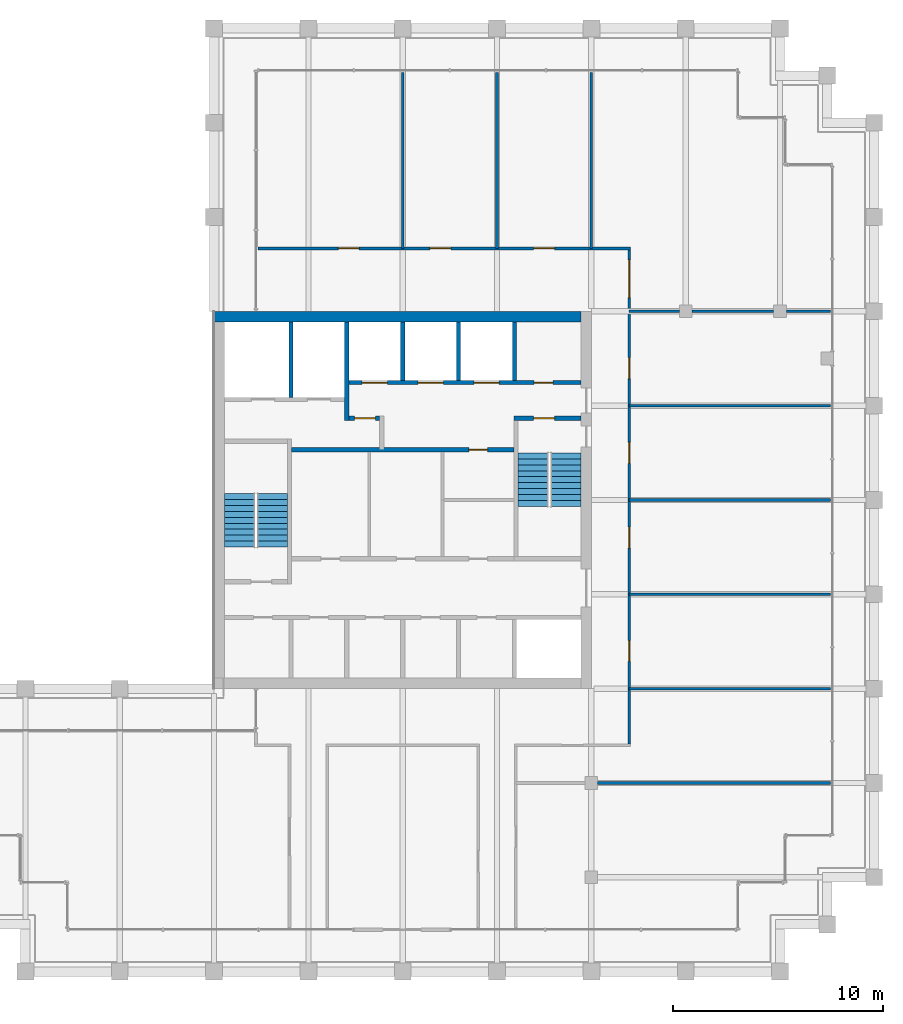
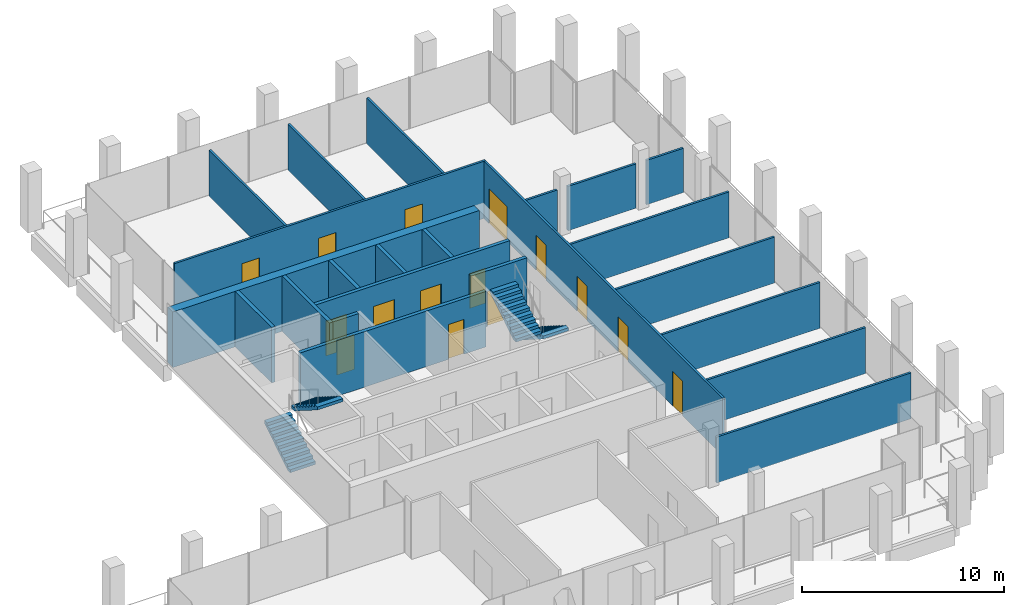
# One storey, part 29 of 30: 23 walls, 15 doors, 4 stair flights, 15 openings, 2 elements without a shape of their own.
"""IFC4 building model written with IfcOpenShell, lengths in metres."""

from ifc_helpers import new_model, si_unit, direction, frame, frame_2d, origin, place, context, subcontext, project, spatial, polyline, rectangle, outline, extrude, material, layer, layer_set, type_object, element, fill, aggregate, save


model = new_model("IFC4")

# Units and contexts
model_context = context("Model", 3, precision=1e-05, world=origin(), true_north=direction((0.0, 1.0)))
body_context = subcontext(model_context, "Body", "Model", "MODEL_VIEW")
ifc_project = project(units=[si_unit("LENGTHUNIT", "METRE"), si_unit("AREAUNIT", "SQUARE_METRE"), si_unit("VOLUMEUNIT", "CUBIC_METRE"), si_unit("PLANEANGLEUNIT", "RADIAN"), si_unit("MASSUNIT", "GRAM", prefix="KILO")], contexts=[model_context])

# Site, building, storey
site_placement = place(None, origin())
site = spatial("IfcSite", under=ifc_project, at=site_placement, CompositionType="ELEMENT")
building_placement = place(site_placement, origin())
building = spatial("IfcBuilding", under=site, at=building_placement, Name="Altepetl Exchange Towers", CompositionType="ELEMENT")
storey_placement = place(building_placement, frame((0.0, 0.0, 213.60009765625)))
storey = spatial("IfcBuildingStorey", under=building, at=storey_placement, Name="L54", CompositionType="ELEMENT", Elevation=213.60009765625)

# Wall
ifc_material_1 = material(Name="Concrete C70/85", Category="concrete")
ifc_layer_1 = layer(ifc_material_1, 0.5)
ifc_layer_set_1 = layer_set([ifc_layer_1], Name="Concrete C70/85")
wall_type_1 = type_object("IfcWallType", Name="Core wall 500 reinforced concrete", PredefinedType="SHEAR", material=ifc_layer_set_1)
wall_1_placement = place(storey_placement, frame((40.5, 58.25, 0.0)))
element("IfcWall", 1, at=wall_1_placement, inside=storey, type_object=wall_type_1, Name="wall:A:L54:K-coreN", PredefinedType="SHEAR", context=body_context, shape_type="SweptSolid", body=[
    extrude(rectangle(XDim=17.5, YDim=0.5, at=frame_2d((8.75, 0.0))), origin(), (0.0, 0.0, 1.0), 3.349853515625),
])

# Wall, opening, door
ifc_material_2 = material(Name="Concrete blockwork", Category="masonry")
ifc_layer_2 = layer(ifc_material_2, 0.199951171875)
ifc_layer_set_2 = layer_set([ifc_layer_2], Name="Concrete blockwork")
wall_type_2 = type_object("IfcWallType", Name="Lobby wall 200 blockwork", PredefinedType="PARTITIONING", material=ifc_layer_set_2)
wall_2_placement = place(storey_placement, frame((46.933349609375, 53.39990234375, 0.0)))
wall_2 = element("IfcWall", 2, at=wall_2_placement, inside=storey, type_object=wall_type_2, Name="wall:A:L54:K-ffN", PredefinedType="PARTITIONING", context=body_context, shape_type="SweptSolid", body=[
    extrude(rectangle(XDim=1.466552734375, YDim=0.199951171875, at=frame_2d((0.7333984375, 0.0))), origin(), (0.0, 0.0, 1.0), 3.349853515625),
])
opening_1_placement = place(wall_2_placement, frame((0.2666015625, 0.0, 0.0)))
opening_1 = element("IfcOpeningElement", 3, at=opening_1_placement, cuts=wall_2, Name="Opening L54.A65", PredefinedType="OPENING", context=body_context, shape_type="SweptSolid", body=[
    extrude(rectangle(XDim=1.0, YDim=2.10009765625, at=frame_2d((0.5, 1.050048828125))), frame((0.0, 0.10986328125, 0.0), z_axis=(0.0, -1.0, 0.0), x_axis=(1.0, 0.0, 0.0)), (0.0, 0.0, 1.0), 0.219970703125),
])
ifc_material_3 = material(Name="Steel and timber fire door", Category="steel")
door_type_1 = type_object("IfcDoorType", Name="Fire door 1000 x 2100 stair and lobby", OperationType="SINGLE_SWING_LEFT", PredefinedType="DOOR", material=ifc_material_3)
door_1_placement = place(opening_1_placement, frame((1.0, 0.0, 0.0), x_axis=(-1.0, 0.0, 0.0)))
door_1 = element("IfcDoor", 4, at=door_1_placement, inside=storey, type_object=door_type_1, Name="door:A:L54:K-dffN", OperationType="SINGLE_SWING_RIGHT", OverallHeight=2.10009765625, OverallWidth=1.0, PredefinedType="DOOR", context=body_context, shape_type="SweptSolid", body=[
    extrude(rectangle(XDim=1.0, YDim=2.10009765625, at=frame_2d((0.5, 1.050048828125))), frame((0.0, 0.02490234375, 0.0), z_axis=(0.0, -1.0, 0.0), x_axis=(1.0, 0.0, 0.0)), (0.0, 0.0, 1.0), 0.050048828125),
])
fill(opening_1, door_1)

wall_3_placement = place(storey_placement, frame((44.199951171875, 51.89990234375, 0.0)))
wall_3 = element("IfcWall", 5, at=wall_3_placement, inside=storey, type_object=wall_type_2, Name="wall:A:L54:K-zoneN", PredefinedType="PARTITIONING", context=body_context, shape_type="SweptSolid", body=[
    extrude(rectangle(XDim=10.60009765625, YDim=0.199951171875, at=frame_2d((5.300048828125, 0.0))), origin(), (0.0, 0.0, 1.0), 3.349853515625),
])
opening_2_placement = place(wall_3_placement, frame((8.449951171875, 0.0, 0.0)))
opening_2 = element("IfcOpeningElement", 6, at=opening_2_placement, cuts=wall_3, Name="Opening L54.A75", PredefinedType="OPENING", context=body_context, shape_type="SweptSolid", body=[
    extrude(rectangle(XDim=0.89990234375, YDim=2.10009765625, at=frame_2d((0.449951171875, 1.050048828125))), frame((0.0, 0.10986328125, 0.0), z_axis=(0.0, -1.0, 0.0), x_axis=(1.0, 0.0, 0.0)), (0.0, 0.0, 1.0), 0.219970703125),
])
door_type_2 = type_object("IfcDoorType", Name="Fire door 900 x 2100 service room", OperationType="SINGLE_SWING_LEFT", PredefinedType="DOOR", material=ifc_material_3)
door_2_placement = place(opening_2_placement, frame((0.89990234375, 0.0, 0.0), x_axis=(-1.0, 0.0, 0.0)))
door_2 = element("IfcDoor", 7, at=door_2_placement, inside=storey, type_object=door_type_2, Name="door:A:L54:K-dz4", OperationType="SINGLE_SWING_LEFT", OverallHeight=2.10009765625, OverallWidth=0.89990234375, PredefinedType="DOOR", context=body_context, shape_type="SweptSolid", body=[
    extrude(rectangle(XDim=0.89990234375, YDim=2.10009765625, at=frame_2d((0.449951171875, 1.050048828125))), frame((0.0, 0.02490234375, 0.0), z_axis=(0.0, -1.0, 0.0), x_axis=(1.0, 0.0, 0.0)), (0.0, 0.0, 1.0), 0.050048828125),
])
fill(opening_2, door_2)

# Walls
ifc_material_4 = material(Name="Gypsum board on steel studs", Category="steel")
ifc_layer_3 = layer(ifc_material_4, 0.125)
ifc_layer_set_3 = layer_set([ifc_layer_3], Name="Gypsum board on steel studs")
wall_type_3 = type_object("IfcWallType", Name="Partition 125 gypsum board on steel studs", PredefinedType="PARTITIONING", material=ifc_layer_set_3)
wall_4_placement = place(storey_placement, frame((58.800048828125, 36.0, 0.0)))
element("IfcWall", 8, at=wall_4_placement, inside=storey, type_object=wall_type_3, Name="wall:A:L54:P02", PredefinedType="PARTITIONING", context=body_context, shape_type="SweptSolid", body=[
    extrude(rectangle(XDim=11.099853515625, YDim=0.125, at=frame_2d((5.5498046875, 0.0))), origin(), (0.0, 0.0, 1.0), 2.77197265625),
])
for number, where, name in (
    (9, (60.300048828125, 40.5, 0.0), "wall:A:L54:P06"),
    (10, (60.300048828125, 45.0, 0.0), "wall:A:L54:P07"),
    (11, (60.300048828125, 49.5, 0.0), "wall:A:L54:P08"),
    (12, (60.300048828125, 54.0, 0.0), "wall:A:L54:P09"),
):
    element("IfcWall", number, at=place(storey_placement, frame(where)), inside=storey, type_object=wall_type_3, Name=name, PredefinedType="PARTITIONING", context=body_context, shape_type="SweptSolid", body=[
        extrude(rectangle(XDim=9.599853515625, YDim=0.125, at=frame_2d((4.7998046875, 0.0))), origin(), (0.0, 0.0, 1.0), 2.77197265625),
    ])
wall_5_placement = place(storey_placement, frame((60.300048828125, 58.5, 0.0)))
element("IfcWall", 13, at=wall_5_placement, inside=storey, type_object=wall_type_3, Name="wall:A:L54:P10", PredefinedType="PARTITIONING", context=body_context, shape_type="SweptSolid", body=[
    extrude(rectangle(XDim=2.39990234375, YDim=0.125, at=frame_2d((1.199951171875, 0.0))), origin(), (0.0, 0.0, 1.0), 2.67578125),
])
wall_6_placement = place(storey_placement, frame((63.300048828125, 58.5, 0.0)))
element("IfcWall", 14, at=wall_6_placement, inside=storey, type_object=wall_type_3, Name="wall:A:L54:P11", PredefinedType="PARTITIONING", context=body_context, shape_type="SweptSolid", body=[
    extrude(rectangle(XDim=3.89990234375, YDim=0.125, at=frame_2d((1.949951171875, 0.0))), origin(), (0.0, 0.0, 1.0), 2.67578125),
])
wall_7_placement = place(storey_placement, frame((67.800048828125, 58.5, 0.0)))
element("IfcWall", 15, at=wall_7_placement, inside=storey, type_object=wall_type_3, Name="wall:A:L54:P12", PredefinedType="PARTITIONING", context=body_context, shape_type="SweptSolid", body=[
    extrude(rectangle(XDim=2.099853515625, YDim=0.125, at=frame_2d((1.0498046875, 0.0))), origin(), (0.0, 0.0, 1.0), 2.67578125),
])

# Wall, openings, doors
wall_8_placement = place(storey_placement, frame((42.60009765625, 61.5, 0.0)))
wall_8 = element("IfcWall", 16, at=wall_8_placement, inside=storey, type_object=wall_type_3, Name="wall:A:L54:P13", PredefinedType="PARTITIONING", context=body_context, shape_type="SweptSolid", body=[
    extrude(rectangle(XDim=17.762451171875, YDim=0.125, at=frame_2d((8.88134765625, 0.0))), origin(), (0.0, 0.0, 1.0), 3.449951171875),
])
opening_3_placement = place(wall_8_placement, frame((13.14990234375, 0.0, 0.0)))
opening_3 = element("IfcOpeningElement", 17, at=opening_3_placement, cuts=wall_8, Name="Opening L54.A10", PredefinedType="OPENING", context=body_context, shape_type="SweptSolid", body=[
    extrude(rectangle(XDim=1.0, YDim=2.10009765625, at=frame_2d((0.5, 1.050048828125))), frame((0.0, 0.072509765625, 0.0), z_axis=(0.0, -1.0, 0.0), x_axis=(1.0, 0.0, 0.0)), (0.0, 0.0, 1.0), 0.14501953125),
])
opening_4_placement = place(wall_8_placement, frame((8.195068359375, 0.0, 0.0)))
opening_4 = element("IfcOpeningElement", 18, at=opening_4_placement, cuts=wall_8, Name="Opening L54.A11", PredefinedType="OPENING", context=body_context, shape_type="SweptSolid", body=[
    extrude(rectangle(XDim=1.0, YDim=2.10009765625, at=frame_2d((0.5, 1.050048828125))), frame((0.0, 0.072509765625, 0.0), z_axis=(0.0, -1.0, 0.0), x_axis=(1.0, 0.0, 0.0)), (0.0, 0.0, 1.0), 0.14501953125),
])
opening_5_placement = place(wall_8_placement, frame((3.824951171875, 0.0, 0.0)))
opening_5 = element("IfcOpeningElement", 19, at=opening_5_placement, cuts=wall_8, Name="Opening L54.A12", PredefinedType="OPENING", context=body_context, shape_type="SweptSolid", body=[
    extrude(rectangle(XDim=1.0, YDim=2.10009765625, at=frame_2d((0.5, 1.050048828125))), frame((0.0, 0.072509765625, 0.0), z_axis=(0.0, -1.0, 0.0), x_axis=(1.0, 0.0, 0.0)), (0.0, 0.0, 1.0), 0.14501953125),
])
door_type_3 = type_object("IfcDoorType", Name="Fire door 1000 x 2100 single leaf", OperationType="SINGLE_SWING_LEFT", PredefinedType="DOOR", material=ifc_material_3)
door_3_placement = place(opening_3_placement, origin())
door_3 = element("IfcDoor", 20, at=door_3_placement, inside=storey, type_object=door_type_3, Name="door:A:L54:10", OperationType="SINGLE_SWING_LEFT", OverallHeight=2.10009765625, OverallWidth=1.0, PredefinedType="DOOR", context=body_context, shape_type="SweptSolid", body=[
    extrude(rectangle(XDim=1.0, YDim=2.10009765625, at=frame_2d((0.5, 1.050048828125))), frame((0.0, 0.02490234375, 0.0), z_axis=(0.0, -1.0, 0.0), x_axis=(1.0, 0.0, 0.0)), (0.0, 0.0, 1.0), 0.050048828125),
])
fill(opening_3, door_3)
door_4_placement = place(opening_4_placement, origin())
door_4 = element("IfcDoor", 21, at=door_4_placement, inside=storey, type_object=door_type_3, Name="door:A:L54:11", OperationType="SINGLE_SWING_RIGHT", OverallHeight=2.10009765625, OverallWidth=1.0, PredefinedType="DOOR", context=body_context, shape_type="SweptSolid", body=[
    extrude(rectangle(XDim=1.0, YDim=2.10009765625, at=frame_2d((0.5, 1.050048828125))), frame((0.0, 0.02490234375, 0.0), z_axis=(0.0, -1.0, 0.0), x_axis=(1.0, 0.0, 0.0)), (0.0, 0.0, 1.0), 0.050048828125),
])
fill(opening_4, door_4)
door_5_placement = place(opening_5_placement, origin())
door_5 = element("IfcDoor", 22, at=door_5_placement, inside=storey, type_object=door_type_3, Name="door:A:L54:12", OperationType="SINGLE_SWING_LEFT", OverallHeight=2.10009765625, OverallWidth=1.0, PredefinedType="DOOR", context=body_context, shape_type="SweptSolid", body=[
    extrude(rectangle(XDim=1.0, YDim=2.10009765625, at=frame_2d((0.5, 1.050048828125))), frame((0.0, 0.02490234375, 0.0), z_axis=(0.0, -1.0, 0.0), x_axis=(1.0, 0.0, 0.0)), (0.0, 0.0, 1.0), 0.050048828125),
])
fill(opening_5, door_5)

# Walls
for number, where, z_axis, x_axis, name in (
    (23, (49.5, 61.5, 0.0), (0.0, 0.0, 1.0), (0.0, 1.0, 0.0), "wall:A:L54:P17"),
    (24, (54.0, 61.5, 0.0), (0.0, 0.0, 1.0), (0.0, 1.0, 0.0), "wall:A:L54:P19"),
    (25, (58.5, 61.5, 0.0), (0.0, 0.0, 1.0), (0.0, 1.0, 0.0), "wall:A:L54:P21"),
):
    element("IfcWall", number, at=place(storey_placement, frame(where, z_axis=z_axis, x_axis=x_axis)), inside=storey, type_object=wall_type_3, Name=name, PredefinedType="PARTITIONING", context=body_context, shape_type="SweptSolid", body=[
        extrude(rectangle(XDim=8.39990234375, YDim=0.125, at=frame_2d((4.199951171875, 0.0))), origin(), (0.0, 0.0, 1.0), 2.77197265625),
    ])

# Wall, openings, doors
wall_9_placement = place(storey_placement, frame((60.300048828125, 37.862548828125, 0.0), z_axis=(0.0, 0.0, 1.0), x_axis=(0.0, 1.0, 0.0)))
wall_9 = element("IfcWall", 26, at=wall_9_placement, inside=storey, type_object=wall_type_3, Name="wall:A:L54:P22", PredefinedType="PARTITIONING", context=body_context, shape_type="SweptSolid", body=[
    extrude(rectangle(XDim=23.574951171875, YDim=0.125, at=frame_2d((11.78759765625, 0.0))), origin(), (0.0, 0.0, 1.0), 3.449951171875),
])
opening_6_placement = place(wall_9_placement, frame((3.9326171875, 0.0, 0.0)))
opening_6 = element("IfcOpeningElement", 27, at=opening_6_placement, cuts=wall_9, Name="Opening L54.A05", PredefinedType="OPENING", context=body_context, shape_type="SweptSolid", body=[
    extrude(rectangle(XDim=1.0, YDim=2.10009765625, at=frame_2d((0.5, 1.050048828125))), frame((0.0, 0.072509765625, 0.0), z_axis=(0.0, -1.0, 0.0), x_axis=(1.0, 0.0, 0.0)), (0.0, 0.0, 1.0), 0.14501953125),
])
opening_7_placement = place(wall_9_placement, frame((9.342529296875, 0.0, 0.0)))
opening_7 = element("IfcOpeningElement", 28, at=opening_7_placement, cuts=wall_9, Name="Opening L54.A06", PredefinedType="OPENING", context=body_context, shape_type="SweptSolid", body=[
    extrude(rectangle(XDim=1.0, YDim=2.10009765625, at=frame_2d((0.5, 1.050048828125))), frame((0.0, 0.072509765625, 0.0), z_axis=(0.0, -1.0, 0.0), x_axis=(1.0, 0.0, 0.0)), (0.0, 0.0, 1.0), 0.14501953125),
])
opening_8_placement = place(wall_9_placement, frame((13.387451171875, 0.0, 0.0)))
opening_8 = element("IfcOpeningElement", 29, at=opening_8_placement, cuts=wall_9, Name="Opening L54.A07", PredefinedType="OPENING", context=body_context, shape_type="SweptSolid", body=[
    extrude(rectangle(XDim=1.0, YDim=2.10009765625, at=frame_2d((0.5, 1.050048828125))), frame((0.0, 0.072509765625, 0.0), z_axis=(0.0, -1.0, 0.0), x_axis=(1.0, 0.0, 0.0)), (0.0, 0.0, 1.0), 0.14501953125),
])
opening_9_placement = place(wall_9_placement, frame((17.4326171875, 0.0, 0.0)))
opening_9 = element("IfcOpeningElement", 30, at=opening_9_placement, cuts=wall_9, Name="Opening L54.A08", PredefinedType="OPENING", context=body_context, shape_type="SweptSolid", body=[
    extrude(rectangle(XDim=1.0, YDim=2.10009765625, at=frame_2d((0.5, 1.050048828125))), frame((0.0, 0.072509765625, 0.0), z_axis=(0.0, -1.0, 0.0), x_axis=(1.0, 0.0, 0.0)), (0.0, 0.0, 1.0), 0.14501953125),
])
opening_10_placement = place(wall_9_placement, frame((21.29052734375, 0.0, 0.0)))
opening_10 = element("IfcOpeningElement", 31, at=opening_10_placement, cuts=wall_9, Name="Opening L54.A09", PredefinedType="OPENING", context=body_context, shape_type="SweptSolid", body=[
    extrude(rectangle(XDim=1.800048828125, YDim=2.10009765625, at=frame_2d((0.89990234375, 1.050048828125))), frame((0.0, 0.072509765625, 0.0), z_axis=(0.0, -1.0, 0.0), x_axis=(1.0, 0.0, 0.0)), (0.0, 0.0, 1.0), 0.14501953125),
])
door_6_placement = place(opening_6_placement, frame((1.0, 0.0, 0.0), x_axis=(-1.0, 0.0, 0.0)))
door_6 = element("IfcDoor", 32, at=door_6_placement, inside=storey, type_object=door_type_3, Name="door:A:L54:05", OperationType="SINGLE_SWING_LEFT", OverallHeight=2.10009765625, OverallWidth=1.0, PredefinedType="DOOR", context=body_context, shape_type="SweptSolid", body=[
    extrude(rectangle(XDim=1.0, YDim=2.10009765625, at=frame_2d((0.5, 1.050048828125))), frame((0.0, 0.02490234375, 0.0), z_axis=(0.0, -1.0, 0.0), x_axis=(1.0, 0.0, 0.0)), (0.0, 0.0, 1.0), 0.050048828125),
])
fill(opening_6, door_6)
door_7_placement = place(opening_7_placement, frame((1.0, 0.0, 0.0), x_axis=(-1.0, 0.0, 0.0)))
door_7 = element("IfcDoor", 33, at=door_7_placement, inside=storey, type_object=door_type_3, Name="door:A:L54:06", OperationType="SINGLE_SWING_RIGHT", OverallHeight=2.10009765625, OverallWidth=1.0, PredefinedType="DOOR", context=body_context, shape_type="SweptSolid", body=[
    extrude(rectangle(XDim=1.0, YDim=2.10009765625, at=frame_2d((0.5, 1.050048828125))), frame((0.0, 0.02490234375, 0.0), z_axis=(0.0, -1.0, 0.0), x_axis=(1.0, 0.0, 0.0)), (0.0, 0.0, 1.0), 0.050048828125),
])
fill(opening_7, door_7)
door_8_placement = place(opening_8_placement, frame((1.0, 0.0, 0.0), x_axis=(-1.0, 0.0, 0.0)))
door_8 = element("IfcDoor", 34, at=door_8_placement, inside=storey, type_object=door_type_3, Name="door:A:L54:07", OperationType="SINGLE_SWING_LEFT", OverallHeight=2.10009765625, OverallWidth=1.0, PredefinedType="DOOR", context=body_context, shape_type="SweptSolid", body=[
    extrude(rectangle(XDim=1.0, YDim=2.10009765625, at=frame_2d((0.5, 1.050048828125))), frame((0.0, 0.02490234375, 0.0), z_axis=(0.0, -1.0, 0.0), x_axis=(1.0, 0.0, 0.0)), (0.0, 0.0, 1.0), 0.050048828125),
])
fill(opening_8, door_8)
door_9_placement = place(opening_9_placement, frame((1.0, 0.0, 0.0), x_axis=(-1.0, 0.0, 0.0)))
door_9 = element("IfcDoor", 35, at=door_9_placement, inside=storey, type_object=door_type_3, Name="door:A:L54:08", OperationType="SINGLE_SWING_RIGHT", OverallHeight=2.10009765625, OverallWidth=1.0, PredefinedType="DOOR", context=body_context, shape_type="SweptSolid", body=[
    extrude(rectangle(XDim=1.0, YDim=2.10009765625, at=frame_2d((0.5, 1.050048828125))), frame((0.0, 0.02490234375, 0.0), z_axis=(0.0, -1.0, 0.0), x_axis=(1.0, 0.0, 0.0)), (0.0, 0.0, 1.0), 0.050048828125),
])
fill(opening_9, door_9)
door_type_4 = type_object("IfcDoorType", Name="Fire door 1800 x 2100 double leaf", OperationType="DOUBLE_DOOR_SINGLE_SWING", PredefinedType="DOOR", material=ifc_material_3)
door_10_placement = place(opening_10_placement, frame((1.800048828125, 0.0, 0.0), x_axis=(-1.0, 0.0, 0.0)))
door_10 = element("IfcDoor", 36, at=door_10_placement, inside=storey, type_object=door_type_4, Name="door:A:L54:09", OperationType="DOUBLE_DOOR_SINGLE_SWING", OverallHeight=2.10009765625, OverallWidth=1.800048828125, PredefinedType="DOOR", context=body_context, shape_type="SweptSolid", body=[
    extrude(rectangle(XDim=1.800048828125, YDim=2.10009765625, at=frame_2d((0.89990234375, 1.050048828125))), frame((0.0, 0.02490234375, 0.0), z_axis=(0.0, -1.0, 0.0), x_axis=(1.0, 0.0, 0.0)), (0.0, 0.0, 1.0), 0.050048828125),
])
fill(opening_10, door_10)

# Walls
ifc_material_5 = material(Name="Concrete C40/50", Category="concrete")
ifc_layer_4 = layer(ifc_material_5, 0.199951171875)
ifc_layer_set_4 = layer_set([ifc_layer_4], Name="Concrete C40/50")
wall_type_4 = type_object("IfcWallType", Name="Shaft wall 200 reinforced concrete", PredefinedType="SHEAR", material=ifc_layer_set_4)
wall_10_placement = place(storey_placement, frame((44.166748046875, 58.0, 0.0), z_axis=(0.0, 0.0, 1.0), x_axis=(0.0, -1.0, 0.0)))
element("IfcWall", 37, at=wall_10_placement, inside=storey, type_object=wall_type_4, Name="wall:A:L54:K-divN1", PredefinedType="SHEAR", context=body_context, shape_type="SweptSolid", body=[
    extrude(rectangle(XDim=3.60009765625, YDim=0.199951171875, at=frame_2d((1.800048828125, 0.0))), origin(), (0.0, 0.0, 1.0), 3.349853515625),
])
wall_11_placement = place(storey_placement, frame((46.833251953125, 58.0, 0.0), z_axis=(0.0, 0.0, 1.0), x_axis=(0.0, -1.0, 0.0)))
element("IfcWall", 38, at=wall_11_placement, inside=storey, type_object=wall_type_4, Name="wall:A:L54:K-divN2", PredefinedType="SHEAR", context=body_context, shape_type="SweptSolid", body=[
    extrude(rectangle(XDim=4.699951171875, YDim=0.199951171875, at=frame_2d((2.35009765625, 0.0))), origin(), (0.0, 0.0, 1.0), 3.349853515625),
])
for number, where, z_axis, x_axis, name in (
    (39, (49.5, 58.0, 0.0), (0.0, 0.0, 1.0), (0.0, -1.0, 0.0), "wall:A:L54:K-divN3"),
    (40, (52.166748046875, 58.0, 0.0), (0.0, 0.0, 1.0), (0.0, -1.0, 0.0), "wall:A:L54:K-divN4"),
    (41, (54.833251953125, 58.0, 0.0), (0.0, 0.0, 1.0), (0.0, -1.0, 0.0), "wall:A:L54:K-divN5"),
):
    element("IfcWall", number, at=place(storey_placement, frame(where, z_axis=z_axis, x_axis=x_axis)), inside=storey, type_object=wall_type_4, Name=name, PredefinedType="SHEAR", context=body_context, shape_type="SweptSolid", body=[
        extrude(rectangle(XDim=2.800048828125, YDim=0.199951171875, at=frame_2d((1.39990234375, 0.0))), origin(), (0.0, 0.0, 1.0), 3.349853515625),
    ])

# Wall, openings, doors
wall_12_placement = place(storey_placement, frame((46.933349609375, 55.10009765625, 0.0)))
wall_12 = element("IfcWall", 42, at=wall_12_placement, inside=storey, type_object=wall_type_4, Name="wall:A:L54:K-frontNb", PredefinedType="SHEAR", context=body_context, shape_type="SweptSolid", body=[
    extrude(rectangle(XDim=11.066650390625, YDim=0.199951171875, at=frame_2d((5.533203125, 0.0))), origin(), (0.0, 0.0, 1.0), 3.349853515625),
])
opening_11_placement = place(wall_12_placement, frame((8.83349609375, 0.0, 0.0)))
opening_11 = element("IfcOpeningElement", 43, at=opening_11_placement, cuts=wall_12, Name="Opening L54.A66", PredefinedType="OPENING", context=body_context, shape_type="SweptSolid", body=[
    extrude(rectangle(XDim=0.89990234375, YDim=2.10009765625, at=frame_2d((0.449951171875, 1.050048828125))), frame((0.0, 0.10986328125, 0.0), z_axis=(0.0, -1.0, 0.0), x_axis=(1.0, 0.0, 0.0)), (0.0, 0.0, 1.0), 0.219970703125),
])
opening_12_placement = place(wall_12_placement, frame((0.63330078125, 0.0, 0.0)))
opening_12 = element("IfcOpeningElement", 44, at=opening_12_placement, cuts=wall_12, Name="Opening L54.A78", PredefinedType="OPENING", context=body_context, shape_type="SweptSolid", body=[
    extrude(rectangle(XDim=1.199951171875, YDim=2.10009765625, at=frame_2d((0.60009765625, 1.050048828125))), frame((0.0, 0.10986328125, 0.0), z_axis=(0.0, -1.0, 0.0), x_axis=(1.0, 0.0, 0.0)), (0.0, 0.0, 1.0), 0.219970703125),
])
opening_13_placement = place(wall_12_placement, frame((3.300048828125, 0.0, 0.0)))
opening_13 = element("IfcOpeningElement", 45, at=opening_13_placement, cuts=wall_12, Name="Opening L54.A79", PredefinedType="OPENING", context=body_context, shape_type="SweptSolid", body=[
    extrude(rectangle(XDim=1.199951171875, YDim=2.10009765625, at=frame_2d((0.60009765625, 1.050048828125))), frame((0.0, 0.10986328125, 0.0), z_axis=(0.0, -1.0, 0.0), x_axis=(1.0, 0.0, 0.0)), (0.0, 0.0, 1.0), 0.219970703125),
])
opening_14_placement = place(wall_12_placement, frame((5.966796875, 0.0, 0.0)))
opening_14 = element("IfcOpeningElement", 46, at=opening_14_placement, cuts=wall_12, Name="Opening L54.A80", PredefinedType="OPENING", context=body_context, shape_type="SweptSolid", body=[
    extrude(rectangle(XDim=1.199951171875, YDim=2.10009765625, at=frame_2d((0.60009765625, 1.050048828125))), frame((0.0, 0.10986328125, 0.0), z_axis=(0.0, -1.0, 0.0), x_axis=(1.0, 0.0, 0.0)), (0.0, 0.0, 1.0), 0.219970703125),
])
door_11_placement = place(opening_11_placement, origin())
door_11 = element("IfcDoor", 47, at=door_11_placement, inside=storey, type_object=door_type_2, Name="door:A:L54:K-driser", OperationType="SINGLE_SWING_RIGHT", OverallHeight=2.10009765625, OverallWidth=0.89990234375, PredefinedType="DOOR", context=body_context, shape_type="SweptSolid", body=[
    extrude(rectangle(XDim=0.89990234375, YDim=2.10009765625, at=frame_2d((0.449951171875, 1.050048828125))), frame((0.0, 0.02490234375, 0.0), z_axis=(0.0, -1.0, 0.0), x_axis=(1.0, 0.0, 0.0)), (0.0, 0.0, 1.0), 0.050048828125),
])
fill(opening_11, door_11)
ifc_material_6 = material(Name="Stainless steel", Category="steel")
door_type_5 = type_object("IfcDoorType", Name="Lift landing door 1200 x 2100", OperationType="SLIDING_TO_LEFT", PredefinedType="DOOR", material=ifc_material_6)
door_12_placement = place(opening_12_placement, origin())
door_12 = element("IfcDoor", 48, at=door_12_placement, inside=storey, type_object=door_type_5, Name="Landing door P5", OperationType="SLIDING_TO_LEFT", OverallHeight=2.10009765625, OverallWidth=1.199951171875, PredefinedType="DOOR", context=body_context, shape_type="SweptSolid", body=[
    extrude(rectangle(XDim=1.199951171875, YDim=2.10009765625, at=frame_2d((0.60009765625, 1.050048828125))), frame((0.0, 0.02490234375, 0.0), z_axis=(0.0, -1.0, 0.0), x_axis=(1.0, 0.0, 0.0)), (0.0, 0.0, 1.0), 0.050048828125),
])
fill(opening_12, door_12)
door_13_placement = place(opening_13_placement, origin())
door_13 = element("IfcDoor", 49, at=door_13_placement, inside=storey, type_object=door_type_5, Name="Landing door P6", OperationType="SLIDING_TO_LEFT", OverallHeight=2.10009765625, OverallWidth=1.199951171875, PredefinedType="DOOR", context=body_context, shape_type="SweptSolid", body=[
    extrude(rectangle(XDim=1.199951171875, YDim=2.10009765625, at=frame_2d((0.60009765625, 1.050048828125))), frame((0.0, 0.02490234375, 0.0), z_axis=(0.0, -1.0, 0.0), x_axis=(1.0, 0.0, 0.0)), (0.0, 0.0, 1.0), 0.050048828125),
])
fill(opening_13, door_13)
door_14_placement = place(opening_14_placement, origin())
door_14 = element("IfcDoor", 50, at=door_14_placement, inside=storey, type_object=door_type_5, Name="Landing door P7", OperationType="SLIDING_TO_LEFT", OverallHeight=2.10009765625, OverallWidth=1.199951171875, PredefinedType="DOOR", context=body_context, shape_type="SweptSolid", body=[
    extrude(rectangle(XDim=1.199951171875, YDim=2.10009765625, at=frame_2d((0.60009765625, 1.050048828125))), frame((0.0, 0.02490234375, 0.0), z_axis=(0.0, -1.0, 0.0), x_axis=(1.0, 0.0, 0.0)), (0.0, 0.0, 1.0), 0.050048828125),
])
fill(opening_14, door_14)

# Wall, opening, door
ifc_layer_5 = layer(ifc_material_5, 0.199951171875)
ifc_layer_set_5 = layer_set([ifc_layer_5], Name="Concrete C40/50")
wall_type_5 = type_object("IfcWallType", Name="Stair wall 200 reinforced concrete", PredefinedType="SHEAR", material=ifc_layer_set_5)
wall_13_placement = place(storey_placement, frame((54.800048828125, 53.39990234375, 0.0)))
wall_13 = element("IfcWall", 51, at=wall_13_placement, inside=storey, type_object=wall_type_5, Name="wall:A:L54:K-stS2N", PredefinedType="SHEAR", context=body_context, shape_type="SweptSolid", body=[
    extrude(rectangle(XDim=3.199951171875, YDim=0.199951171875, at=frame_2d((1.60009765625, 0.0))), origin(), (0.0, 0.0, 1.0), 3.349853515625),
])
opening_15_placement = place(wall_13_placement, frame((0.949951171875, 0.0, 0.0)))
opening_15 = element("IfcOpeningElement", 52, at=opening_15_placement, cuts=wall_13, Name="Opening L54.A63", PredefinedType="OPENING", context=body_context, shape_type="SweptSolid", body=[
    extrude(rectangle(XDim=1.0, YDim=2.10009765625, at=frame_2d((0.5, 1.050048828125))), frame((0.0, 0.10986328125, 0.0), z_axis=(0.0, -1.0, 0.0), x_axis=(1.0, 0.0, 0.0)), (0.0, 0.0, 1.0), 0.219970703125),
])
door_15_placement = place(opening_15_placement, frame((1.0, 0.0, 0.0), x_axis=(-1.0, 0.0, 0.0)))
door_15 = element("IfcDoor", 53, at=door_15_placement, inside=storey, type_object=door_type_1, Name="door:A:L54:K-dS2in", OperationType="SINGLE_SWING_LEFT", OverallHeight=2.10009765625, OverallWidth=1.0, PredefinedType="DOOR", context=body_context, shape_type="SweptSolid", body=[
    extrude(rectangle(XDim=1.0, YDim=2.10009765625, at=frame_2d((0.5, 1.050048828125))), frame((0.0, 0.02490234375, 0.0), z_axis=(0.0, -1.0, 0.0), x_axis=(1.0, 0.0, 0.0)), (0.0, 0.0, 1.0), 0.050048828125),
])
fill(opening_15, door_15)

# Stair, stair flights
stair_type = type_object("IfcStairType", Name="Exit stair 1450 flights dogleg", PredefinedType="HALF_TURN_STAIR", material=ifc_material_5)
stair_1_placement = place(storey_placement, origin())
stair_1 = element("IfcStair", 54, at=stair_1_placement, inside=storey, type_object=stair_type, Name="Exit stair 1", PredefinedType="HALF_TURN_STAIR")
stair_flight_type = type_object("IfcStairFlightType", Name="Stair flight 1450 wide", PredefinedType="STRAIGHT", material=ifc_material_5)
stair_flight_1_placement = place(storey_placement, frame((41.72509765625, 47.25, 0.0), z_axis=(0.0, 0.0, 1.0), x_axis=(0.0, 1.0, 0.0)))
stair_flight_1 = element("IfcStairFlight", 55, at=stair_flight_1_placement, type_object=stair_flight_type, Name="ST-A1f flight 1", NumberOfRisers=10, NumberOfTreads=9, PredefinedType="STRAIGHT", RiserHeight=0.18, TreadLength=0.285, context=body_context, shape_type="SweptSolid", body=[
    extrude(outline(polyline([(0.0, 0.0), (0.0, 0.179931640625), (0.284912109375, 0.179931640625), (0.284912109375, 0.360107421875), (0.570068359375, 0.360107421875), (0.570068359375, 0.5400390625), (0.85498046875, 0.5400390625), (0.85498046875, 0.719970703125), (1.139892578125, 0.719970703125), (1.139892578125, 0.89990234375), (1.425048828125, 0.89990234375), (1.425048828125, 1.080078125), (1.7099609375, 1.080078125), (1.7099609375, 1.260009765625), (1.9951171875, 1.260009765625), (1.9951171875, 1.43994140625), (2.280029296875, 1.43994140625), (2.280029296875, 1.6201171875), (2.56494140625, 1.6201171875), (2.56494140625, 1.800048828125), (2.56494140625, 1.442626953125), (0.28076171875, 0.0), (0.0, 0.0)])), frame((0.0, 0.72509765625, 0.0), z_axis=(0.0, -1.0, 0.0), x_axis=(1.0, 0.0, 0.0)), (0.0, 0.0, 1.0), 1.449951171875),
])
stair_flight_2_placement = place(storey_placement, frame((43.27490234375, 49.81494140625, 1.7998046875), z_axis=(0.0, 0.0, 1.0), x_axis=(0.0, -1.0, 0.0)))
stair_flight_2 = element("IfcStairFlight", 56, at=stair_flight_2_placement, type_object=stair_flight_type, Name="ST-A1f flight 2", NumberOfRisers=10, NumberOfTreads=9, PredefinedType="STRAIGHT", RiserHeight=0.18, TreadLength=0.285, context=body_context, shape_type="SweptSolid", body=[
    extrude(outline(polyline([(0.0, 0.0), (0.0, 0.179931640625), (0.284912109375, 0.179931640625), (0.284912109375, 0.360107421875), (0.570068359375, 0.360107421875), (0.570068359375, 0.5400390625), (0.85498046875, 0.5400390625), (0.85498046875, 0.719970703125), (1.139892578125, 0.719970703125), (1.139892578125, 0.89990234375), (1.425048828125, 0.89990234375), (1.425048828125, 1.080078125), (1.7099609375, 1.080078125), (1.7099609375, 1.260009765625), (1.9951171875, 1.260009765625), (1.9951171875, 1.43994140625), (2.280029296875, 1.43994140625), (2.280029296875, 1.6201171875), (2.56494140625, 1.6201171875), (2.56494140625, 1.800048828125), (2.56494140625, 1.442626953125), (0.28076171875, 0.0), (0.0, 0.0)])), frame((0.0, 0.72509765625, 0.0), z_axis=(0.0, -1.0, 0.0), x_axis=(1.0, 0.0, 0.0)), (0.0, 0.0, 1.0), 1.449951171875),
])
aggregate(stair_1, [stair_flight_1, stair_flight_2])

stair_2_placement = place(storey_placement, origin())
stair_2 = element("IfcStair", 57, at=stair_2_placement, inside=storey, type_object=stair_type, Name="Exit stair 2", PredefinedType="HALF_TURN_STAIR")
stair_flight_3_placement = place(storey_placement, frame((57.27490234375, 51.75, 0.0), z_axis=(0.0, 0.0, 1.0), x_axis=(0.0, -1.0, 0.0)))
stair_flight_3 = element("IfcStairFlight", 58, at=stair_flight_3_placement, type_object=stair_flight_type, Name="ST-A2f flight 1", NumberOfRisers=10, NumberOfTreads=9, PredefinedType="STRAIGHT", RiserHeight=0.18, TreadLength=0.285, context=body_context, shape_type="SweptSolid", body=[
    extrude(outline(polyline([(0.0, 0.0), (0.0, 0.179931640625), (0.284912109375, 0.179931640625), (0.284912109375, 0.360107421875), (0.570068359375, 0.360107421875), (0.570068359375, 0.5400390625), (0.85498046875, 0.5400390625), (0.85498046875, 0.719970703125), (1.139892578125, 0.719970703125), (1.139892578125, 0.89990234375), (1.425048828125, 0.89990234375), (1.425048828125, 1.080078125), (1.7099609375, 1.080078125), (1.7099609375, 1.260009765625), (1.9951171875, 1.260009765625), (1.9951171875, 1.43994140625), (2.280029296875, 1.43994140625), (2.280029296875, 1.6201171875), (2.56494140625, 1.6201171875), (2.56494140625, 1.800048828125), (2.56494140625, 1.442626953125), (0.28076171875, 0.0), (0.0, 0.0)])), frame((0.0, 0.72509765625, 0.0), z_axis=(0.0, -1.0, 0.0), x_axis=(1.0, 0.0, 0.0)), (0.0, 0.0, 1.0), 1.449951171875),
])
stair_flight_4_placement = place(storey_placement, frame((55.72509765625, 49.18505859375, 1.7998046875), z_axis=(0.0, 0.0, 1.0), x_axis=(0.0, 1.0, 0.0)))
stair_flight_4 = element("IfcStairFlight", 59, at=stair_flight_4_placement, type_object=stair_flight_type, Name="ST-A2f flight 2", NumberOfRisers=10, NumberOfTreads=9, PredefinedType="STRAIGHT", RiserHeight=0.18, TreadLength=0.285, context=body_context, shape_type="SweptSolid", body=[
    extrude(outline(polyline([(0.0, 0.0), (0.0, 0.179931640625), (0.284912109375, 0.179931640625), (0.284912109375, 0.360107421875), (0.570068359375, 0.360107421875), (0.570068359375, 0.5400390625), (0.85498046875, 0.5400390625), (0.85498046875, 0.719970703125), (1.139892578125, 0.719970703125), (1.139892578125, 0.89990234375), (1.425048828125, 0.89990234375), (1.425048828125, 1.080078125), (1.7099609375, 1.080078125), (1.7099609375, 1.260009765625), (1.9951171875, 1.260009765625), (1.9951171875, 1.43994140625), (2.280029296875, 1.43994140625), (2.280029296875, 1.6201171875), (2.56494140625, 1.6201171875), (2.56494140625, 1.800048828125), (2.56494140625, 1.442626953125), (0.28076171875, 0.0), (0.0, 0.0)])), frame((0.0, 0.72509765625, 0.0), z_axis=(0.0, -1.0, 0.0), x_axis=(1.0, 0.0, 0.0)), (0.0, 0.0, 1.0), 1.449951171875),
])
aggregate(stair_2, [stair_flight_3, stair_flight_4])

save(model, "model.ifc")
